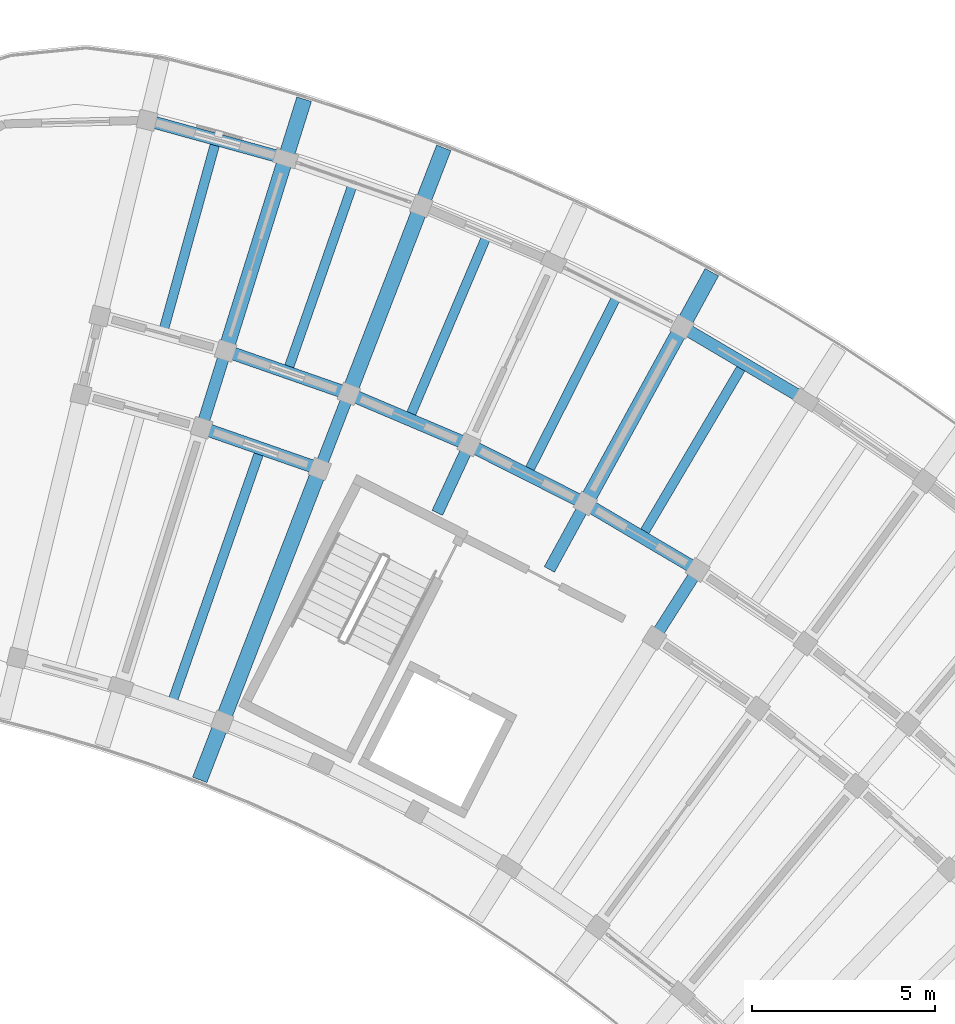
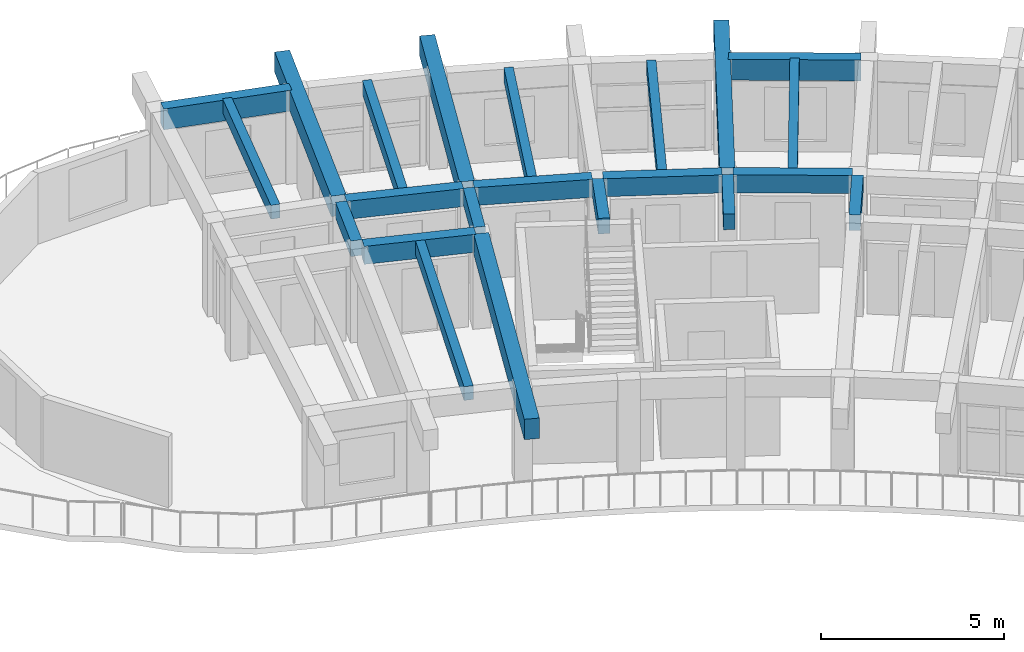
# One storey, part 24 of 62: 22 beams.
"""IFC4 building model written with IfcOpenShell, lengths in metres."""

from ifc_helpers import new_model, si_unit, direction, frame, origin, origin_2d, place, context, subcontext, project, spatial, rectangle, extrude, material, material_profile, profile_set, type_object, element, save


model = new_model("IFC4")

# Units and contexts
model_context = context("Model", 3, precision=1e-05, world=origin(), true_north=direction((0.0, 1.0)))
body_context = subcontext(model_context, "Body", "Model", "MODEL_VIEW")
ifc_project = project(units=[si_unit("LENGTHUNIT", "METRE"), si_unit("AREAUNIT", "SQUARE_METRE"), si_unit("VOLUMEUNIT", "CUBIC_METRE"), si_unit("PLANEANGLEUNIT", "RADIAN"), si_unit("MASSUNIT", "GRAM", prefix="KILO")], contexts=[model_context])

# Site, building, storey
site_placement = place(None, origin())
site = spatial("IfcSite", under=ifc_project, at=site_placement, CompositionType="ELEMENT")
building_placement = place(site_placement, origin())
building = spatial("IfcBuilding", under=site, at=building_placement, Name="Tanwirah Colonnade Gardens", CompositionType="ELEMENT")
storey_placement = place(building_placement, frame((0.0, 0.0, 32.360107421875)))
storey = spatial("IfcBuildingStorey", under=building, at=storey_placement, Name="L09", CompositionType="ELEMENT", Elevation=32.360107421875)

# Beams
ifc_material_1 = material(Name="Precast concrete C40/50", Category="concrete")
ifc_material_profile_1 = material_profile(ifc_material_1, rectangle(XDim=0.320068359375, YDim=0.52001953125, at=origin_2d()), Name="PC-BM 320x520")
ifc_profile_set_1 = profile_set([ifc_material_profile_1], Name="Precast concrete C40/50")
beam_type_1 = type_object("IfcBeamType", Name="BM-PC320", PredefinedType="BEAM", material=ifc_profile_set_1)
for number, where, z_axis, x_axis, name in (
    (1, (148.89697265625, 104.08349609375, 2.85498046875), (0.536509579595, 0.843894229749, 0.0), (-0.843894229749, 0.536509579595, 0.0), "Block B L09 Corridor Tie Beam 11"),
    (2, (145.945068359375, 105.826171875, 2.85498046875), (0.479707235792, 0.877428611301, 0.0), (-0.877428611301, 0.479707235792, 0.0), "Block B L09 Corridor Tie Beam 12"),
    (3, (142.884765625, 107.37060546875, 2.85498046875), (0.420858322681, 0.90712638162, 0.0), (-0.90712638162, 0.420858322681, 0.0), "Block B L09 Corridor Tie Beam 13"),
    (4, (139.729248046875, 108.7099609375, 2.85498046875), (0.360175656082, 0.932884503444, 0.0), (-0.932884503444, 0.360175656082, 0.0), "Block B L09 Corridor Tie Beam 14"),
    (5, (136.492431640625, 109.838623046875, 2.85498046875), (0.297857918398, 0.954610213882, 0.0), (-0.954610213882, 0.297857918398, 0.0), "Block B L09 Corridor Tie Beam 15"),
):
    element("IfcBeam", number, at=place(storey_placement, frame(where, z_axis=z_axis, x_axis=x_axis)), inside=storey, type_object=beam_type_1, Name=name, PredefinedType="BEAM", context=body_context, shape_type="SweptSolid", body=[
        extrude(rectangle(XDim=0.320068359375, YDim=0.52001953125, at=origin_2d()), origin(), (0.0, 0.0, 1.0), 1.89990234375),
    ])
ifc_material_profile_2 = material_profile(ifc_material_1, rectangle(XDim=0.35009765625, YDim=0.60009765625, at=origin_2d()), Name="PC-BM 350x600")
ifc_profile_set_2 = profile_set([ifc_material_profile_2], Name="Precast concrete C40/50")
beam_type_2 = type_object("IfcBeamType", Name="BM-PC350B", PredefinedType="BEAM", material=ifc_profile_set_2)
for number, where, z_axis, x_axis, name in (
    (6, (149.86767578125, 105.8896484375, 2.81494140625), (-0.861134978964, 0.508376384193, 0.0), (-0.508376384193, -0.861134978964, 0.0), "Block B L09 Circumferential Beam 11-R2"),
    (7, (146.794677734375, 107.6923828125, 2.81494140625), (-0.89276014323, 0.450532270387, 0.0), (-0.450532270387, -0.89276014323, 0.0), "Block B L09 Circumferential Beam 12-R2"),
):
    element("IfcBeam", number, at=place(storey_placement, frame(where, z_axis=z_axis, x_axis=x_axis)), inside=storey, type_object=beam_type_2, Name=name, PredefinedType="BEAM", context=body_context, shape_type="SweptSolid", body=[
        extrude(rectangle(XDim=0.35009765625, YDim=0.60009765625, at=origin_2d()), origin(), (0.0, 0.0, 1.0), 3.26318359375),
    ])
beam_1_placement = place(storey_placement, frame((143.609375, 109.288818359375, 2.81494140625), z_axis=(-0.920513294115, 0.390711242938, 0.0), x_axis=(-0.390711242938, -0.920513294115, 0.0)))
element("IfcBeam", 8, at=beam_1_placement, inside=storey, type_object=beam_type_2, Name="Block B L09 Circumferential Beam 13-R2", PredefinedType="BEAM", context=body_context, shape_type="SweptSolid", body=[
    extrude(rectangle(XDim=0.35009765625, YDim=0.60009765625, at=origin_2d()), origin(), (0.0, 0.0, 1.0), 3.262939453125),
])
beam_2_placement = place(storey_placement, frame((139.53369140625, 108.619384765625, 2.81494140625), z_axis=(-0.944248304077, 0.329234172358, 0.0), x_axis=(-0.329234172358, -0.944248304077, 0.0)))
element("IfcBeam", 9, at=beam_2_placement, inside=storey, type_object=beam_type_2, Name="Block B L09 Circumferential Beam 14-R1", PredefinedType="BEAM", context=body_context, shape_type="SweptSolid", body=[
    extrude(rectangle(XDim=0.35009765625, YDim=0.60009765625, at=origin_2d()), origin(), (0.0, 0.0, 1.0), 3.1181640625),
])
beam_3_placement = place(storey_placement, frame((140.325927734375, 110.671630859375, 2.81494140625), z_axis=(-0.944231021702, 0.329283734272, 0.0), x_axis=(-0.329283734272, -0.944231021702, 0.0)))
element("IfcBeam", 10, at=beam_3_placement, inside=storey, type_object=beam_type_2, Name="Block B L09 Circumferential Beam 14-R2", PredefinedType="BEAM", context=body_context, shape_type="SweptSolid", body=[
    extrude(rectangle(XDim=0.35009765625, YDim=0.60009765625, at=origin_2d()), origin(), (0.0, 0.0, 1.0), 3.262939453125),
])
ifc_material_2 = material(Name="Precast concrete C45/55", Category="concrete")
ifc_material_profile_3 = material_profile(ifc_material_2, rectangle(XDim=0.419921875, YDim=0.679931640625, at=origin_2d()), Name="PC-BM 420x680")
ifc_profile_set_3 = profile_set([ifc_material_profile_3], Name="Precast concrete C45/55")
beam_type_3 = type_object("IfcBeamType", Name="BM-PC420", PredefinedType="BEAM", material=ifc_profile_set_3)
beam_4_placement = place(storey_placement, frame((147.00048828125, 107.75634765625, 2.77490234375), z_axis=(0.479686549155, 0.877439920769, 0.0), x_axis=(-0.877439920769, 0.479686549155, 0.0)))
element("IfcBeam", 11, at=beam_4_placement, inside=storey, type_object=beam_type_3, Name="Block B L09 Outer Radial Precast Girder 12", PredefinedType="BEAM", context=body_context, shape_type="SweptSolid", body=[
    extrude(rectangle(XDim=0.419921875, YDim=0.679931640625, at=origin_2d()), origin(), (0.0, 0.0, 1.0), 7.050048828125),
])
beam_5_placement = place(storey_placement, frame((139.62109375, 108.43017578125, 2.77490234375), z_axis=(-0.360155980892, -0.932892099563, 0.0), x_axis=(0.932892099563, -0.360155980892, 0.0)))
element("IfcBeam", 12, at=beam_5_placement, inside=storey, type_object=beam_type_3, Name="Block B L09 Inner Radial Precast Girder 14", PredefinedType="BEAM", context=body_context, shape_type="SweptSolid", body=[
    extrude(rectangle(XDim=0.419921875, YDim=0.679931640625, at=origin_2d()), origin(), (0.0, 0.0, 1.0), 8.949951171875),
])
for number, where, z_axis, x_axis, name in (
    (13, (140.521728515625, 110.76220703125, 2.77490234375), (0.360150678391, 0.932894146651, 0.0), (-0.932894146651, 0.360150678391, 0.0), "Block B L09 Outer Radial Precast Girder 14"),
    (14, (137.147705078125, 111.938720703125, 2.77490234375), (0.297957513373, 0.954579132511, 0.0), (-0.954579132511, 0.297957513373, 0.0), "Block B L09 Outer Radial Precast Girder 15"),
):
    element("IfcBeam", number, at=place(storey_placement, frame(where, z_axis=z_axis, x_axis=x_axis)), inside=storey, type_object=beam_type_3, Name=name, PredefinedType="BEAM", context=body_context, shape_type="SweptSolid", body=[
        extrude(rectangle(XDim=0.419921875, YDim=0.679931640625, at=origin_2d()), origin(), (0.0, 0.0, 1.0), 7.050048828125),
    ])
ifc_material_profile_4 = material_profile(ifc_material_1, rectangle(XDim=0.260009765625, YDim=0.4599609375, at=origin_2d()), Name="PC-JST 260x460")
ifc_profile_set_4 = profile_set([ifc_material_profile_4], Name="Precast concrete C40/50")
beam_type_4 = type_object("IfcBeamType", Name="JST-PC260", PredefinedType="JOIST", material=ifc_profile_set_4)
for number, where, z_axis, x_axis, name in (
    (15, (148.53857421875, 106.84765625, 2.885009765625), (0.508360236823, 0.86114451146, 0.0), (-0.86114451146, 0.508360236823, 0.0), "Block B L09 Precast Floor Joist 11"),
    (16, (145.4052734375, 108.560791015625, 2.885009765625), (0.450533699488, 0.892759422031, 0.0), (-0.892759422031, 0.450533699488, 0.0), "Block B L09 Precast Floor Joist 12"),
):
    element("IfcBeam", number, at=place(storey_placement, frame(where, z_axis=z_axis, x_axis=x_axis)), inside=storey, type_object=beam_type_4, Name=name, PredefinedType="JOIST", context=body_context, shape_type="SweptSolid", body=[
        extrude(rectangle(XDim=0.260009765625, YDim=0.4599609375, at=origin_2d()), origin(), (0.0, 0.0, 1.0), 5.26025390625),
    ])
for number, where, z_axis, x_axis, name in (
    (17, (142.166015625, 110.063720703125, 2.885009765625), (0.390723870106, 0.92050793442, 0.0), (-0.92050793442, 0.390723870106, 0.0), "Block B L09 Precast Floor Joist 13"),
    (18, (138.83447265625, 111.349853515625, 2.885009765625), (0.3292586038, 0.944239785131, 0.0), (-0.944239785131, 0.3292586038, 0.0), "Block B L09 Precast Floor Joist 14"),
):
    element("IfcBeam", number, at=place(storey_placement, frame(where, z_axis=z_axis, x_axis=x_axis)), inside=storey, type_object=beam_type_4, Name=name, PredefinedType="JOIST", context=body_context, shape_type="SweptSolid", body=[
        extrude(rectangle(XDim=0.260009765625, YDim=0.4599609375, at=origin_2d()), origin(), (0.0, 0.0, 1.0), 5.260009765625),
    ])
beam_6_placement = place(storey_placement, frame((135.673828125, 102.28515625, 2.885009765625), z_axis=(0.329250558112, 0.944242590642, 0.0), x_axis=(-0.944242590642, 0.329250558112, 0.0)))
element("IfcBeam", 19, at=beam_6_placement, inside=storey, type_object=beam_type_4, Name="Block B L09 Inner Precast Floor Joist 14", PredefinedType="JOIST", context=body_context, shape_type="SweptSolid", body=[
    extrude(rectangle(XDim=0.260009765625, YDim=0.4599609375, at=origin_2d()), origin(), (0.0, 0.0, 1.0), 7.159912109375),
])
beam_7_placement = place(storey_placement, frame((135.42578125, 112.413818359375, 2.885009765625), z_axis=(0.266281476085, 0.963895313555, 0.0), x_axis=(-0.963895313555, 0.266281476085, 0.0)))
element("IfcBeam", 20, at=beam_7_placement, inside=storey, type_object=beam_type_4, Name="Block B L09 Precast Floor Joist 15", PredefinedType="JOIST", context=body_context, shape_type="SweptSolid", body=[
    extrude(rectangle(XDim=0.260009765625, YDim=0.4599609375, at=origin_2d()), origin(), (0.0, 0.0, 1.0), 5.260009765625),
])
ifc_material_profile_5 = material_profile(ifc_material_1, rectangle(XDim=0.3349609375, YDim=0.695068359375, at=origin_2d()), Name="PC-SP 335x695")
ifc_profile_set_5 = profile_set([ifc_material_profile_5], Name="Precast concrete C40/50")
beam_type_5 = type_object("IfcBeamType", Name="SP-PC300", PredefinedType="SPANDREL", material=ifc_profile_set_5)
for number, where, z_axis, x_axis, name in (
    (21, (152.818359375, 110.53125, 2.767333984375), (-0.861136912545, 0.5083731089, 0.0), (-0.5083731089, -0.861136912545, 0.0), "Block B L09 Circumferential Beam 11-R3"),
    (22, (138.59716796875, 117.085693359375, 2.767333984375), (-0.963888380927, 0.266306569792, 0.0), (-0.266306569792, -0.963888380927, 0.0), "Block B L09 Circumferential Beam 15-R3"),
):
    element("IfcBeam", number, at=place(storey_placement, frame(where, z_axis=z_axis, x_axis=x_axis)), inside=storey, type_object=beam_type_5, Name=name, PredefinedType="SPANDREL", context=body_context, shape_type="SweptSolid", body=[
        extrude(rectangle(XDim=0.3349609375, YDim=0.695068359375, at=origin_2d()), origin(), (0.0, 0.0, 1.0), 3.625732421875),
    ])

save(model, "model.ifc")
